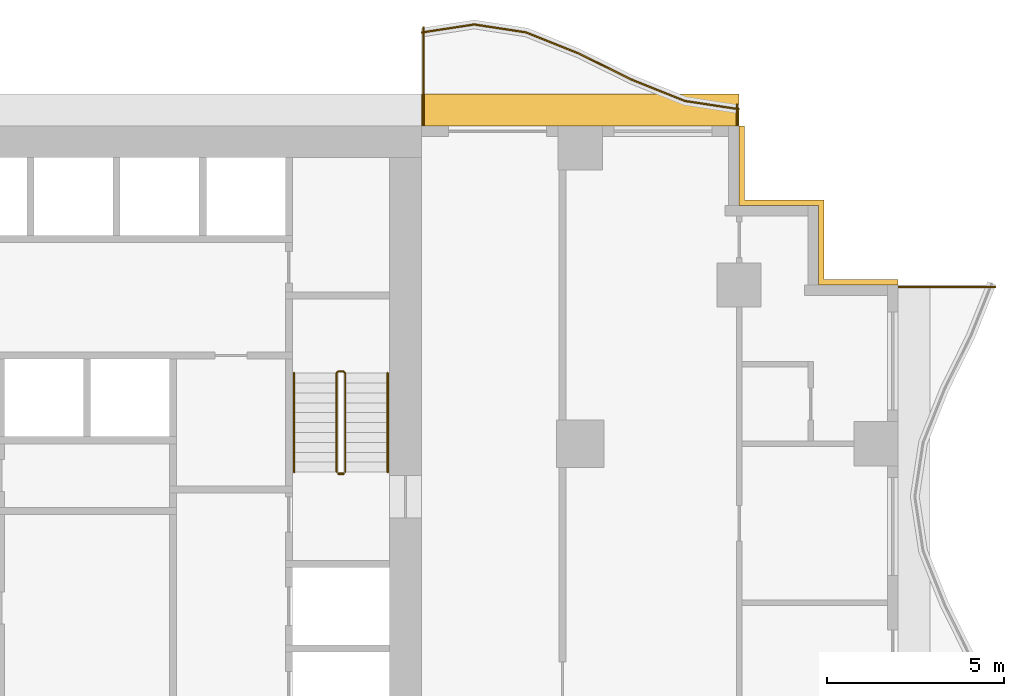
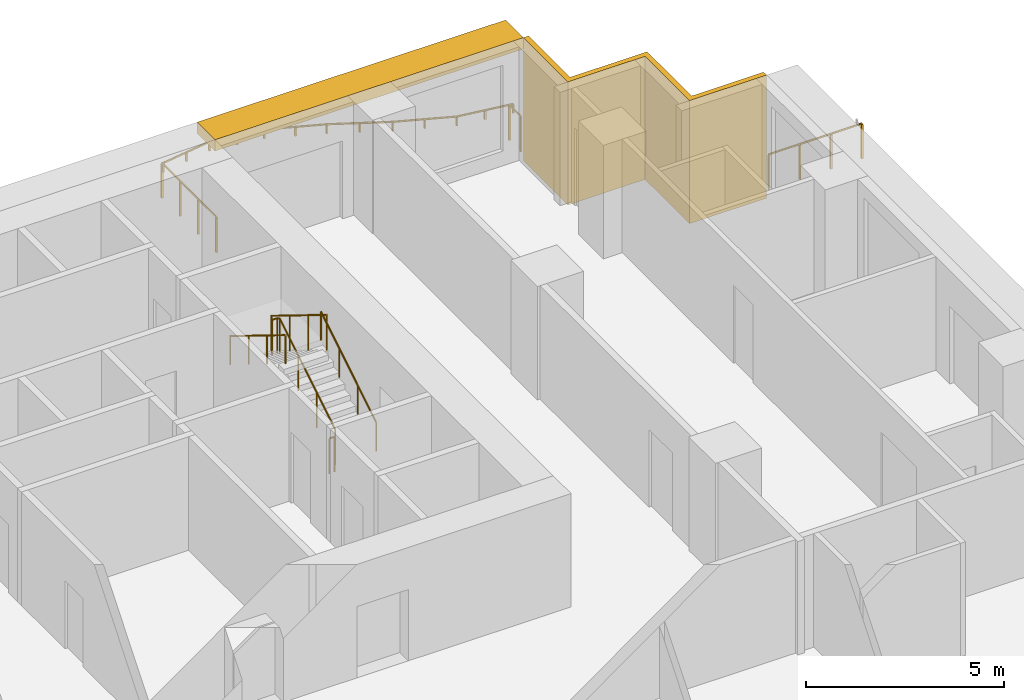
# One storey, part 13 of 13: 8 railings, 2 shading devices.
"""IFC4 building model written with IfcOpenShell, lengths in metres."""

from ifc_helpers import new_model, si_unit, direction, frame, origin, origin_2d, place, context, subcontext, project, spatial, polyline, rectangle, circle, outline, extrude, material, layer, layer_set, type_object, element, save


model = new_model("IFC4")

# Units and contexts
model_context = context("Model", 3, precision=1e-05, world=origin(), true_north=direction((0.0, 1.0)))
body_context = subcontext(model_context, "Body", "Model", "MODEL_VIEW")
ifc_project = project(units=[si_unit("LENGTHUNIT", "METRE"), si_unit("AREAUNIT", "SQUARE_METRE"), si_unit("VOLUMEUNIT", "CUBIC_METRE"), si_unit("PLANEANGLEUNIT", "RADIAN"), si_unit("MASSUNIT", "GRAM", prefix="KILO")], contexts=[model_context])

# Site, building, storey
site_placement = place(None, origin())
site = spatial("IfcSite", under=ifc_project, at=site_placement, CompositionType="ELEMENT")
building_placement = place(site_placement, origin())
building = spatial("IfcBuilding", under=site, at=building_placement, Name="Orbiselva Terraces", CompositionType="ELEMENT")
storey_placement = place(building_placement, frame((0.0, 0.0, 99.8)))
storey = spatial("IfcBuildingStorey", under=building, at=storey_placement, Name="L25", CompositionType="ELEMENT", Elevation=99.8)

# Railings
ifc_material_1 = material(Name="Stainless steel", Category="steel")
railing_type_1 = type_object("IfcRailingType", Name="CORE-GUARD-1100", PredefinedType="GUARDRAIL", material=ifc_material_1)
railing_1_placement = place(storey_placement, frame((11.35, 12.7, 0.172727)))
element("IfcRailing", 1, at=railing_1_placement, inside=storey, type_object=railing_type_1, Name="L25 S2 stair guard 1", PredefinedType="GUARDRAIL", context=body_context, shape_type="SweptSolid", body=[
    extrude(circle(Radius=0.024, at=origin_2d()), frame((0.0, 0.0, 1.081), z_axis=(0.0, 0.851088519012, 0.52502222125), x_axis=(-1.0, 0.0, 0.0)), (0.0, 0.0, 1.0), 3.289905),
    extrude(circle(Radius=0.024, at=origin_2d()), frame((0.0, 2.8, 2.808273), z_axis=(-0.707106781187, 0.707106781187, 0.0), x_axis=(-0.707106781187, -0.707106781187, 0.0)), (0.0, 0.0, 1.0), 0.070711),
    extrude(circle(Radius=0.024, at=origin_2d()), frame((-0.05, 2.85, 2.808273), z_axis=(-1.0, 0.0, 0.0), x_axis=(0.0, -1.0, 0.0)), (0.0, 0.0, 1.0), 0.15),
    extrude(circle(Radius=0.024, at=origin_2d()), frame((-0.2, 2.85, 2.808273), z_axis=(-0.267894925557, -0.267894925557, 0.925453736133), x_axis=(0.707106781187, -0.707106781187, 0.0)), (0.0, 0.0, 1.0), 0.18664),
    extrude(circle(Radius=0.024, at=origin_2d()), frame((-0.25, 2.8, 2.981), z_axis=(0.0, -0.851088519012, 0.52502222125), x_axis=(1.0, 0.0, 0.0)), (0.0, 0.0, 1.0), 3.289905),
    extrude(circle(Radius=0.021, at=origin_2d()), origin(), (0.0, 0.0, 1.0), 1.057),
    extrude(circle(Radius=0.021, at=origin_2d()), frame((0.0, 0.933333, 0.575758)), (0.0, 0.0, 1.0), 1.057),
    extrude(circle(Radius=0.021, at=origin_2d()), frame((0.0, 1.866667, 1.151515)), (0.0, 0.0, 1.0), 1.057),
    extrude(circle(Radius=0.021, at=origin_2d()), frame((0.0, 2.8, 1.727273)), (0.0, 0.0, 1.0), 1.057),
    extrude(circle(Radius=0.021, at=origin_2d()), frame((-0.05, 2.85, 1.727273)), (0.0, 0.0, 1.0), 1.057),
    extrude(circle(Radius=0.021, at=origin_2d()), frame((-0.2, 2.85, 1.727273)), (0.0, 0.0, 1.0), 1.057),
    extrude(circle(Radius=0.021, at=origin_2d()), frame((-0.25, 2.8, 1.9)), (0.0, 0.0, 1.0), 1.057),
    extrude(circle(Radius=0.021, at=origin_2d()), frame((-0.25, 1.866667, 2.475758)), (0.0, 0.0, 1.0), 1.057),
    extrude(circle(Radius=0.021, at=origin_2d()), frame((-0.25, 0.933333, 3.051515)), (0.0, 0.0, 1.0), 1.057),
    extrude(circle(Radius=0.021, at=origin_2d()), frame((-0.25, 0.0, 3.627273)), (0.0, 0.0, 1.0), 1.057),
])
railing_2_placement = place(storey_placement, frame((11.3, 12.65, 0.0)))
element("IfcRailing", 2, at=railing_2_placement, inside=storey, type_object=railing_type_1, Name="L25 S2 stair guard 2", PredefinedType="GUARDRAIL", context=body_context, shape_type="SweptSolid", body=[
    extrude(circle(Radius=0.024, at=origin_2d()), frame((0.0, 0.0, 1.081), z_axis=(-1.0, 0.0, 0.0), x_axis=(0.0, -1.0, 0.0)), (0.0, 0.0, 1.0), 0.15),
    extrude(circle(Radius=0.021, at=origin_2d()), origin(), (0.0, 0.0, 1.0), 1.057),
    extrude(circle(Radius=0.021, at=origin_2d()), frame((-0.15, 0.0, 0.0)), (0.0, 0.0, 1.0), 1.057),
])
railing_type_2 = type_object("IfcRailingType", Name="CORE-HANDRAIL-900", PredefinedType="HANDRAIL", material=ifc_material_1)
railing_3_placement = place(storey_placement, frame((12.55, 12.7, 0.172727)))
element("IfcRailing", 3, at=railing_3_placement, inside=storey, type_object=railing_type_2, Name="L25 S2 stair handrail 1", PredefinedType="HANDRAIL", context=body_context, shape_type="SweptSolid", body=[
    extrude(circle(Radius=0.024, at=origin_2d()), frame((0.0, 0.0, 0.876), z_axis=(0.0, 0.851088519012, 0.52502222125), x_axis=(-1.0, 0.0, 0.0)), (0.0, 0.0, 1.0), 3.289905),
    extrude(circle(Radius=0.021, at=origin_2d()), origin(), (0.0, 0.0, 1.0), 0.852),
    extrude(circle(Radius=0.021, at=origin_2d()), frame((0.0, 0.933333, 0.575758)), (0.0, 0.0, 1.0), 0.852),
    extrude(circle(Radius=0.021, at=origin_2d()), frame((0.0, 1.866667, 1.151515)), (0.0, 0.0, 1.0), 0.852),
    extrude(circle(Radius=0.021, at=origin_2d()), frame((0.0, 2.8, 1.727273)), (0.0, 0.0, 1.0), 0.852),
])
railing_4_placement = place(storey_placement, frame((9.9, 15.5, 2.072727)))
element("IfcRailing", 4, at=railing_4_placement, inside=storey, type_object=railing_type_2, Name="L25 S2 stair handrail 2", PredefinedType="HANDRAIL", context=body_context, shape_type="SweptSolid", body=[
    extrude(circle(Radius=0.024, at=origin_2d()), frame((0.0, 0.0, 0.876), z_axis=(0.0, -0.851088519012, 0.52502222125), x_axis=(1.0, 0.0, 0.0)), (0.0, 0.0, 1.0), 3.289905),
    extrude(circle(Radius=0.021, at=origin_2d()), origin(), (0.0, 0.0, 1.0), 0.852),
    extrude(circle(Radius=0.021, at=origin_2d()), frame((0.0, -0.933333, 0.575758)), (0.0, 0.0, 1.0), 0.852),
    extrude(circle(Radius=0.021, at=origin_2d()), frame((0.0, -1.866667, 1.151515)), (0.0, 0.0, 1.0), 0.852),
    extrude(circle(Radius=0.021, at=origin_2d()), frame((0.0, -2.8, 1.727273)), (0.0, 0.0, 1.0), 0.852),
])
ifc_material_2 = material(Name="Bonded two-ply safety glass balustrade, stainless steel posts", Category="steel")
railing_type_3 = type_object("IfcRailingType", Name="ENV-BALUSTRADE-1200", PredefinedType="BALUSTRADE", material=ifc_material_2)
railing_5_placement = place(storey_placement, frame((22.481121, 22.976434, 0.9)))
element("IfcRailing", 5, at=railing_5_placement, inside=storey, type_object=railing_type_3, Name="Balcony balustrade L25 NE", PredefinedType="BALUSTRADE", context=body_context, shape_type="SweptSolid", body=[
    extrude(outline(polyline([(0.028868, 0.0), (0.014434, 0.025), (-0.014434, 0.025), (-0.028868, 0.0), (-0.014434, -0.025), (0.014434, -0.025), (0.028868, 0.0)])), frame((0.0, 0.0, 0.275), z_axis=(-0.988528588529, 0.151033869252, 0.0), x_axis=(-0.151033869252, -0.988528588529, 0.0)), (0.0, 0.0, 1.0), 1.531776),
    extrude(outline(polyline([(0.028868, 0.0), (0.014434, 0.025), (-0.014434, 0.025), (-0.028868, 0.0), (-0.014434, -0.025), (0.014434, -0.025), (0.028868, 0.0)])), frame((-1.514204, 0.23135, 0.275), z_axis=(-0.92847681744, 0.371390359967, 0.0), x_axis=(-0.371390359967, -0.92847681744, 0.0)), (0.0, 0.0, 1.0), 1.634838),
    extrude(outline(polyline([(0.028868, 0.0), (0.014434, 0.025), (-0.014434, 0.025), (-0.028868, 0.0), (-0.014434, -0.025), (0.014434, -0.025), (0.028868, 0.0)])), frame((-3.032113, 0.838513, 0.275), z_axis=(-0.896416672454, 0.443212307306, 0.0), x_axis=(-0.443212307306, -0.896416672454, 0.0)), (0.0, 0.0, 1.0), 1.673329),
    extrude(outline(polyline([(0.028868, 0.0), (0.014434, 0.025), (-0.014434, 0.025), (-0.028868, 0.0), (-0.014434, -0.025), (0.014434, -0.025), (0.028868, 0.0)])), frame((-4.532113, 1.580153, 0.275), z_axis=(-0.928476561272, 0.371391000387, 0.0), x_axis=(-0.371391000387, -0.928476561272, 0.0)), (0.0, 0.0, 1.0), 1.596261),
    extrude(outline(polyline([(0.028868, 0.0), (0.014434, 0.025), (-0.014434, 0.025), (-0.028868, 0.0), (-0.014434, -0.025), (0.014434, -0.025), (0.028868, 0.0)])), frame((-6.014204, 2.17299, 0.275), z_axis=(-0.988528606898, 0.151033749027, 0.0), x_axis=(-0.151033749027, -0.988528606898, 0.0)), (0.0, 0.0, 1.0), 1.48394),
    extrude(outline(polyline([(0.028868, 0.0), (0.014434, 0.025), (-0.014434, 0.025), (-0.028868, 0.0), (-0.014434, -0.025), (0.014434, -0.025), (0.028868, 0.0)])), frame((-7.481121, 2.397115, 0.275), z_axis=(-0.988528624669, -0.151033632714, 0.0), x_axis=(0.151033632714, -0.988528624669, 0.0)), (0.0, 0.0, 1.0), 1.498309),
    extrude(rectangle(XDim=0.05, YDim=0.05, at=origin_2d()), origin(), (0.0, 0.0, 1.0), 0.25),
    extrude(rectangle(XDim=0.05, YDim=0.05, at=origin_2d()), frame((-0.757102, 0.115675, 0.0)), (0.0, 0.0, 1.0), 0.25),
    extrude(rectangle(XDim=0.05, YDim=0.05, at=origin_2d()), frame((-1.514204, 0.23135, 0.0)), (0.0, 0.0, 1.0), 0.25),
    extrude(rectangle(XDim=0.05, YDim=0.05, at=origin_2d()), frame((-2.273159, 0.534931, 0.0)), (0.0, 0.0, 1.0), 0.25),
    extrude(rectangle(XDim=0.05, YDim=0.05, at=origin_2d()), frame((-3.032113, 0.838513, 0.0)), (0.0, 0.0, 1.0), 0.25),
    extrude(rectangle(XDim=0.05, YDim=0.05, at=origin_2d()), frame((-3.782113, 1.209333, 0.0)), (0.0, 0.0, 1.0), 0.25),
    extrude(rectangle(XDim=0.05, YDim=0.05, at=origin_2d()), frame((-4.532113, 1.580153, 0.0)), (0.0, 0.0, 1.0), 0.25),
    extrude(rectangle(XDim=0.05, YDim=0.05, at=origin_2d()), frame((-5.273159, 1.876571, 0.0)), (0.0, 0.0, 1.0), 0.25),
    extrude(rectangle(XDim=0.05, YDim=0.05, at=origin_2d()), frame((-6.014204, 2.17299, 0.0)), (0.0, 0.0, 1.0), 0.25),
    extrude(rectangle(XDim=0.05, YDim=0.05, at=origin_2d()), frame((-6.747663, 2.285052, 0.0)), (0.0, 0.0, 1.0), 0.25),
    extrude(rectangle(XDim=0.05, YDim=0.05, at=origin_2d()), frame((-7.481121, 2.397115, 0.0)), (0.0, 0.0, 1.0), 0.25),
    extrude(rectangle(XDim=0.05, YDim=0.05, at=origin_2d()), frame((-8.221682, 2.283967, 0.0)), (0.0, 0.0, 1.0), 0.25),
    extrude(rectangle(XDim=0.05, YDim=0.05, at=origin_2d()), frame((-8.962242, 2.17082, 0.0)), (0.0, 0.0, 1.0), 0.25),
])
ifc_material_3 = material(Name="Stainless steel rail and posts", Category="steel")
railing_type_4 = type_object("IfcRailingType", Name="ENV-GUARD-1105", PredefinedType="BALUSTRADE", material=ifc_material_3)
railing_6_placement = place(storey_placement, frame((29.752788, 17.94, 0.0)))
element("IfcRailing", 6, at=railing_6_placement, inside=storey, type_object=railing_type_4, Name="Balcony end guard L25 E", PredefinedType="BALUSTRADE", context=body_context, shape_type="SweptSolid", body=[
    extrude(outline(polyline([(0.028868, 0.0), (0.014434, 0.025), (-0.014434, 0.025), (-0.028868, 0.0), (-0.014434, -0.025), (0.014434, -0.025), (0.028868, 0.0)])), frame((0.0, 0.0, 1.08), z_axis=(-1.0, 0.0, 0.0), x_axis=(0.0, -1.0, 0.0)), (0.0, 0.0, 1.0), 2.727788),
    extrude(rectangle(XDim=0.05, YDim=0.05, at=origin_2d()), origin(), (0.0, 0.0, 1.0), 1.055),
    extrude(rectangle(XDim=0.05, YDim=0.05, at=origin_2d()), frame((-0.909263, 0.0, 0.0)), (0.0, 0.0, 1.0), 1.055),
    extrude(rectangle(XDim=0.05, YDim=0.05, at=origin_2d()), frame((-1.818525, 0.0, 0.0)), (0.0, 0.0, 1.0), 1.055),
    extrude(rectangle(XDim=0.05, YDim=0.05, at=origin_2d()), frame((-2.727788, 0.0, 0.0)), (0.0, 0.0, 1.0), 1.055),
])
railing_7_placement = place(storey_placement, frame((22.44, 23.100379, 0.0)))
element("IfcRailing", 7, at=railing_7_placement, inside=storey, type_object=railing_type_4, Name="Balcony end guard L25 NE", PredefinedType="BALUSTRADE", context=body_context, shape_type="SweptSolid", body=[
    extrude(outline(polyline([(0.028868, 0.0), (0.014434, 0.025), (-0.014434, 0.025), (-0.028868, 0.0), (-0.014434, -0.025), (0.014434, -0.025), (0.028868, 0.0)])), frame((0.0, 0.0, 1.08), z_axis=(0.0, -1.0, 0.0), x_axis=(1.0, 0.0, 0.0)), (0.0, 0.0, 1.0), 0.575379),
    extrude(rectangle(XDim=0.05, YDim=0.05, at=origin_2d()), origin(), (0.0, 0.0, 1.0), 1.055),
    extrude(rectangle(XDim=0.05, YDim=0.05, at=origin_2d()), frame((0.0, -0.575379, 0.0)), (0.0, 0.0, 1.0), 1.055),
])
railing_8_placement = place(storey_placement, frame((13.56, 25.288239, 0.0)))
element("IfcRailing", 8, at=railing_8_placement, inside=storey, type_object=railing_type_4, Name="Balcony end guard L25 NE", PredefinedType="BALUSTRADE", context=body_context, shape_type="SweptSolid", body=[
    extrude(outline(polyline([(0.028868, 0.0), (0.014434, 0.025), (-0.014434, 0.025), (-0.028868, 0.0), (-0.014434, -0.025), (0.014434, -0.025), (0.028868, 0.0)])), frame((0.0, 0.0, 1.08), z_axis=(0.0, -1.0, 0.0), x_axis=(1.0, 0.0, 0.0)), (0.0, 0.0, 1.0), 2.763239),
    extrude(rectangle(XDim=0.05, YDim=0.05, at=origin_2d()), origin(), (0.0, 0.0, 1.0), 1.055),
    extrude(rectangle(XDim=0.05, YDim=0.05, at=origin_2d()), frame((0.0, -0.92108, 0.0)), (0.0, 0.0, 1.0), 1.055),
    extrude(rectangle(XDim=0.05, YDim=0.05, at=origin_2d()), frame((0.0, -1.842159, 0.0)), (0.0, 0.0, 1.0), 1.055),
    extrude(rectangle(XDim=0.05, YDim=0.05, at=origin_2d()), frame((0.0, -2.763239, 0.0)), (0.0, 0.0, 1.0), 1.055),
])

# Shading devices
ifc_material_4 = material(Name="Terracotta louvre screen", Category="masonry")
ifc_layer_1 = layer(ifc_material_4, 0.15)
ifc_layer_set_1 = layer_set([ifc_layer_1], Name="Terracotta louvre screen")
shading_device_type_1 = type_object("IfcShadingDeviceType", Name="ENV-SCREEN-150", PredefinedType="USERDEFINED", material=ifc_layer_set_1)
shading_device_1_placement = place(storey_placement, frame((0.0, 0.0, -0.3)))
element("IfcShadingDevice", 9, at=shading_device_1_placement, inside=storey, type_object=shading_device_type_1, Name="Louvre screen L25 NE", ObjectType="SCREEN", PredefinedType="USERDEFINED", context=body_context, shape_type="SweptSolid", body=[
    extrude(outline(polyline([(27.0, 18.15), (24.9, 18.15), (24.9, 20.4), (22.65, 20.4), (22.65, 22.5), (22.5, 22.5), (22.5, 20.25), (24.75, 20.25), (24.75, 18.0), (27.0, 18.0), (27.0, 18.15)])), origin(), (0.0, 0.0, 1.0), 3.8),
])
ifc_material_5 = material(Name="Terracotta baguette sunshade", Category="masonry")
ifc_layer_2 = layer(ifc_material_5, 0.35)
ifc_layer_set_2 = layer_set([ifc_layer_2], Name="Terracotta baguette sunshade")
shading_device_type_2 = type_object("IfcShadingDeviceType", Name="ENV-SUNSHADE-900x350", PredefinedType="USERDEFINED", material=ifc_layer_set_2)
shading_device_2_placement = place(storey_placement, frame((0.0, 0.0, 3.15)))
element("IfcShadingDevice", 10, at=shading_device_2_placement, inside=storey, type_object=shading_device_type_2, Name="Sunshade band L25 NE", ObjectType="SUNSHADE", PredefinedType="USERDEFINED", context=body_context, shape_type="SweptSolid", body=[
    extrude(outline(polyline([(22.5, 23.4), (13.5, 23.4), (13.5, 22.5), (22.5, 22.5), (22.5, 23.4)])), origin(), (0.0, 0.0, 1.0), 0.35),
])

save(model, "model.ifc")
